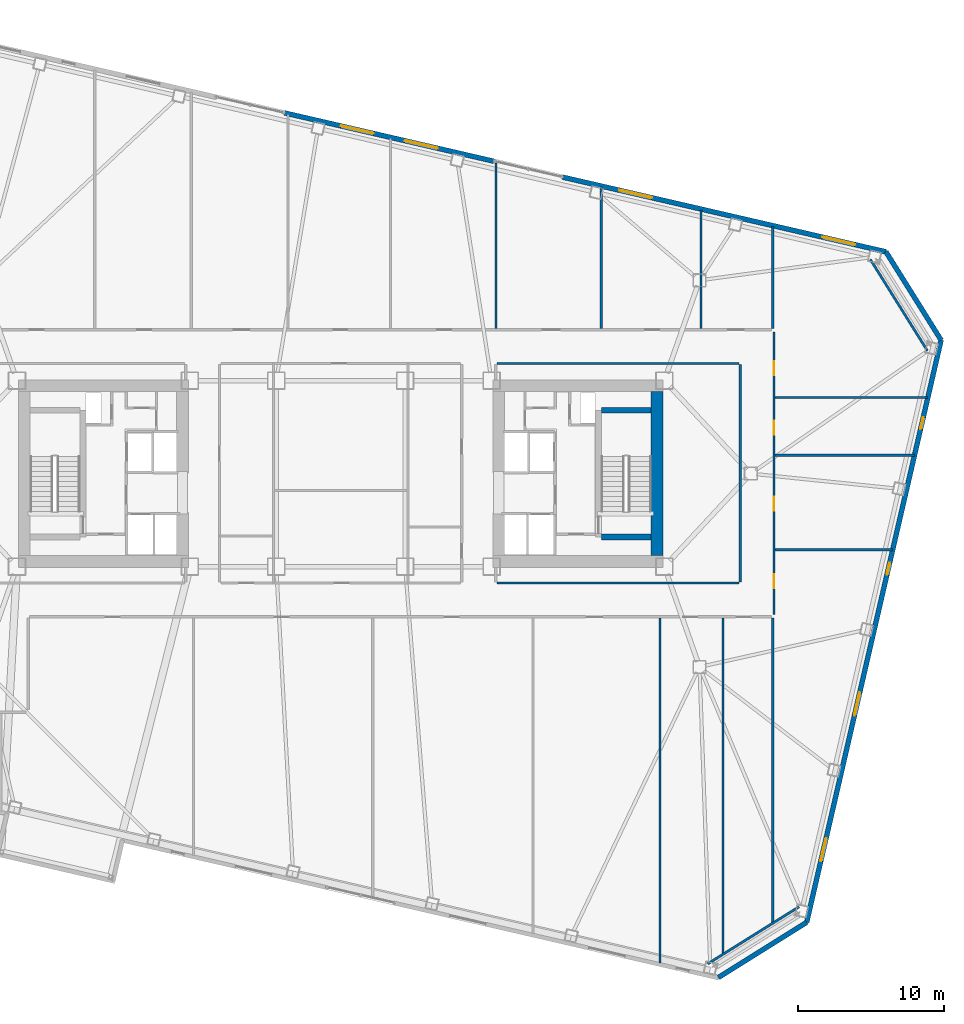
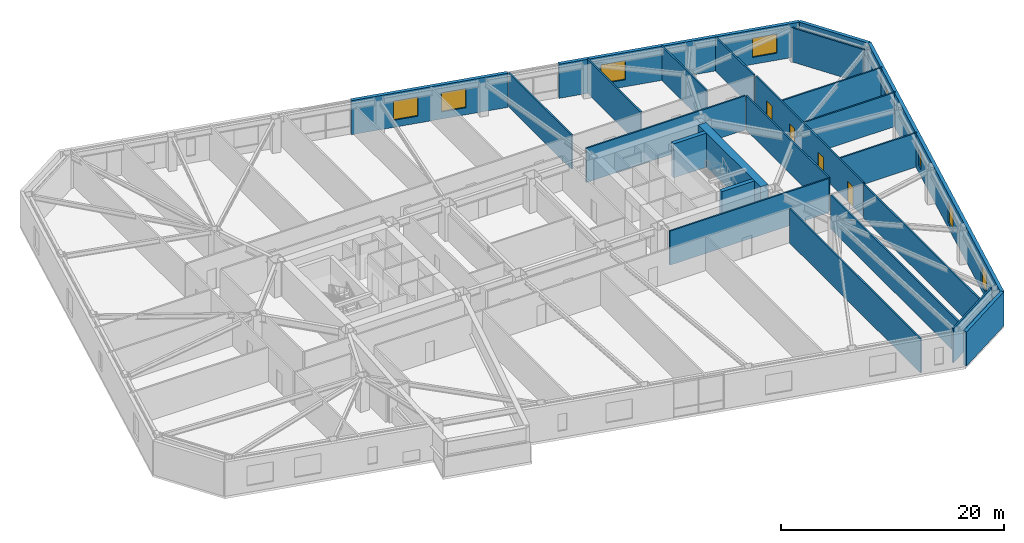
# One storey, part 12 of 18: 24 walls, 8 windows, 4 doors, 12 openings.
"""IFC4 building model written with IfcOpenShell, lengths in metres."""

from ifc_helpers import new_model, si_unit, direction, frame, frame_2d, origin, place, context, subcontext, project, spatial, rectangle, extrude, material, layer, layer_set, type_object, element, fill, save


model = new_model("IFC4")

# Units and contexts
model_context = context("Model", 3, precision=1e-05, world=origin(), true_north=direction((0.0, 1.0)))
body_context = subcontext(model_context, "Body", "Model", "MODEL_VIEW")
ifc_project = project(units=[si_unit("LENGTHUNIT", "METRE"), si_unit("AREAUNIT", "SQUARE_METRE"), si_unit("VOLUMEUNIT", "CUBIC_METRE"), si_unit("PLANEANGLEUNIT", "RADIAN"), si_unit("MASSUNIT", "GRAM", prefix="KILO")], contexts=[model_context])

# Site, building, storey
site_placement = place(None, origin())
site = spatial("IfcSite", under=ifc_project, at=site_placement, CompositionType="ELEMENT")
building_placement = place(site_placement, origin())
building = spatial("IfcBuilding", under=site, at=building_placement, Name="Tavrogorsk Clinical Tower", CompositionType="ELEMENT")
storey_placement = place(building_placement, frame((0.0, 0.0, 47.39990234375)))
storey = spatial("IfcBuildingStorey", under=building, at=storey_placement, Name="L09", CompositionType="ELEMENT", Elevation=47.39990234375)

# Walls
ifc_material_1 = material(Name="Lightweight concrete blockwork B15", Category="masonry")
ifc_layer_1 = layer(ifc_material_1, 0.159912109375)
ifc_layer_set_1 = layer_set([ifc_layer_1], Name="Lightweight concrete blockwork B15")
wall_type_1 = type_object("IfcWallType", Name="PartitionWall_160", PredefinedType="PARTITIONING", material=ifc_layer_set_1)
for number, where, z_axis, x_axis, name in (
    (1, (25.0595703125, -33.46826171875, 0.0), (0.0, 0.0, 1.0), (0.848043064089, 0.529927317139, 0.0), "L09 Corner Exoskeleton Brace Furring Wall 1"),
    (2, (40.059814453125, 8.389404296875, 0.0), (0.0, 0.0, 1.0), (-0.529927317139, 0.848043064089, 0.0), "L09 Corner Exoskeleton Brace Furring Wall 2"),
):
    element("IfcWall", number, at=place(storey_placement, frame(where, z_axis=z_axis, x_axis=x_axis)), inside=storey, type_object=wall_type_1, Name=name, PredefinedType="PARTITIONING", context=body_context, shape_type="SweptSolid", body=[
        extrude(rectangle(XDim=7.353759765625, YDim=0.159912109375, at=frame_2d((3.6767578125, 0.0))), origin(), (0.0, 0.0, 1.0), 3.739990234375),
    ])

# Wall, openings, doors
wall_1_placement = place(storey_placement, frame((29.580078125, 9.6650390625, 0.0), z_axis=(0.0, 0.0, 1.0), x_axis=(0.0, -1.0, 0.0)))
wall_1 = element("IfcWall", 3, at=wall_1_placement, inside=storey, type_object=wall_type_1, Name="L09 Corridor Partition 04", PredefinedType="PARTITIONING", context=body_context, shape_type="SweptSolid", body=[
    extrude(rectangle(XDim=19.280029296875, YDim=0.159912109375, at=frame_2d((9.64013671875, 0.0))), origin(), (0.0, 0.0, 1.0), 3.739990234375),
])
opening_1_placement = place(wall_1_placement, frame((16.531005859375, 0.0, 0.0)))
opening_1 = element("IfcOpeningElement", 4, at=opening_1_placement, cuts=wall_1, Name="Opening ID-02", PredefinedType="OPENING", context=body_context, shape_type="SweptSolid", body=[
    extrude(rectangle(XDim=0.949951171875, YDim=2.199951171875, at=frame_2d((0.47509765625, 1.10009765625))), frame((0.0, 0.08984375, 0.0), z_axis=(0.0, -1.0, 0.0), x_axis=(1.0, 0.0, 0.0)), (0.0, 0.0, 1.0), 0.179931640625),
])
opening_2_placement = place(wall_1_placement, frame((11.25, 0.0, 0.0)))
opening_2 = element("IfcOpeningElement", 5, at=opening_2_placement, cuts=wall_1, Name="Opening ID-02", PredefinedType="OPENING", context=body_context, shape_type="SweptSolid", body=[
    extrude(rectangle(XDim=0.949951171875, YDim=2.199951171875, at=frame_2d((0.47509765625, 1.10009765625))), frame((0.0, 0.08984375, 0.0), z_axis=(0.0, -1.0, 0.0), x_axis=(1.0, 0.0, 0.0)), (0.0, 0.0, 1.0), 0.179931640625),
])
opening_3_placement = place(wall_1_placement, frame((6.050048828125, 0.0, 0.0)))
opening_3 = element("IfcOpeningElement", 6, at=opening_3_placement, cuts=wall_1, Name="Opening ID-02", PredefinedType="OPENING", context=body_context, shape_type="SweptSolid", body=[
    extrude(rectangle(XDim=0.949951171875, YDim=2.199951171875, at=frame_2d((0.47509765625, 1.10009765625))), frame((0.0, 0.08984375, 0.0), z_axis=(0.0, -1.0, 0.0), x_axis=(1.0, 0.0, 0.0)), (0.0, 0.0, 1.0), 0.179931640625),
])
opening_4_placement = place(wall_1_placement, frame((1.994140625, 0.0, 0.0)))
opening_4 = element("IfcOpeningElement", 7, at=opening_4_placement, cuts=wall_1, Name="Opening ID-02", PredefinedType="OPENING", context=body_context, shape_type="SweptSolid", body=[
    extrude(rectangle(XDim=0.949951171875, YDim=2.199951171875, at=frame_2d((0.47509765625, 1.10009765625))), frame((0.0, 0.08984375, 0.0), z_axis=(0.0, -1.0, 0.0), x_axis=(1.0, 0.0, 0.0)), (0.0, 0.0, 1.0), 0.179931640625),
])
ifc_material_2 = material(Name="Laminated timber leaf on aluminium frame", Category="wood")
door_type = type_object("IfcDoorType", Name="InteriorDoor_ID02_950", OperationType="NOTDEFINED", PredefinedType="DOOR", material=ifc_material_2)
door_1_placement = place(opening_1_placement, origin())
door_1 = element("IfcDoor", 8, at=door_1_placement, inside=storey, type_object=door_type, Name="L09 E Senior Clinician Suite 1 Door", OperationType="SINGLE_SWING_LEFT", OverallHeight=2.199951171875, OverallWidth=0.949951171875, PredefinedType="DOOR", context=body_context, shape_type="SweptSolid", body=[
    extrude(rectangle(XDim=0.949951171875, YDim=2.199951171875, at=frame_2d((0.47509765625, 1.10009765625))), frame((0.0, 0.02490234375, 0.0), z_axis=(0.0, -1.0, 0.0), x_axis=(1.0, 0.0, 0.0)), (0.0, 0.0, 1.0), 0.050048828125),
])
fill(opening_1, door_1)
door_2_placement = place(opening_2_placement, origin())
door_2 = element("IfcDoor", 9, at=door_2_placement, inside=storey, type_object=door_type, Name="L09 E Multidisciplinary Seminar Suite 2 Door", OperationType="SINGLE_SWING_RIGHT", OverallHeight=2.199951171875, OverallWidth=0.949951171875, PredefinedType="DOOR", context=body_context, shape_type="SweptSolid", body=[
    extrude(rectangle(XDim=0.949951171875, YDim=2.199951171875, at=frame_2d((0.47509765625, 1.10009765625))), frame((0.0, 0.02490234375, 0.0), z_axis=(0.0, -1.0, 0.0), x_axis=(1.0, 0.0, 0.0)), (0.0, 0.0, 1.0), 0.050048828125),
])
fill(opening_2, door_2)
door_3_placement = place(opening_3_placement, origin())
door_3 = element("IfcDoor", 10, at=door_3_placement, inside=storey, type_object=door_type, Name="L09 E Specialist Consultation Room 3 Door", OperationType="SINGLE_SWING_LEFT", OverallHeight=2.199951171875, OverallWidth=0.949951171875, PredefinedType="DOOR", context=body_context, shape_type="SweptSolid", body=[
    extrude(rectangle(XDim=0.949951171875, YDim=2.199951171875, at=frame_2d((0.47509765625, 1.10009765625))), frame((0.0, 0.02490234375, 0.0), z_axis=(0.0, -1.0, 0.0), x_axis=(1.0, 0.0, 0.0)), (0.0, 0.0, 1.0), 0.050048828125),
])
fill(opening_3, door_3)
door_4_placement = place(opening_4_placement, origin())
door_4 = element("IfcDoor", 11, at=door_4_placement, inside=storey, type_object=door_type, Name="L09 E Clinical Fellows' Study 4 Door", OperationType="SINGLE_SWING_RIGHT", OverallHeight=2.199951171875, OverallWidth=0.949951171875, PredefinedType="DOOR", context=body_context, shape_type="SweptSolid", body=[
    extrude(rectangle(XDim=0.949951171875, YDim=2.199951171875, at=frame_2d((0.47509765625, 1.10009765625))), frame((0.0, 0.02490234375, 0.0), z_axis=(0.0, -1.0, 0.0), x_axis=(1.0, 0.0, 0.0)), (0.0, 0.0, 1.0), 0.050048828125),
])
fill(opening_4, door_4)

# Walls
for number, where, z_axis, x_axis, name in (
    (12, (27.18505859375, 7.52001953125, 0.0), (0.0, 0.0, 1.0), (-1.0, 0.0, 0.0), "L09 Corridor Partition 09"),
    (13, (10.6650390625, -7.469970703125, 0.0), (0.0, 0.0, 1.0), (1.0, 0.0, 0.0), "L09 Corridor Partition 12"),
):
    element("IfcWall", number, at=place(storey_placement, frame(where, z_axis=z_axis, x_axis=x_axis)), inside=storey, type_object=wall_type_1, Name=name, PredefinedType="PARTITIONING", context=body_context, shape_type="SweptSolid", body=[
        extrude(rectangle(XDim=16.52001953125, YDim=0.159912109375, at=frame_2d((8.260009765625, 0.0))), origin(), (0.0, 0.0, 1.0), 3.739990234375),
    ])
wall_2_placement = place(storey_placement, frame((27.27001953125, -7.385009765625, 0.0), z_axis=(0.0, 0.0, 1.0), x_axis=(0.0, 1.0, 0.0)))
element("IfcWall", 14, at=wall_2_placement, inside=storey, type_object=wall_type_1, Name="L09 Corridor Partition 13", PredefinedType="PARTITIONING", context=body_context, shape_type="SweptSolid", body=[
    extrude(rectangle(XDim=14.820068359375, YDim=0.159912109375, at=frame_2d((7.41015625, 0.0))), origin(), (0.0, 0.0, 1.0), 3.739990234375),
])
wall_3_placement = place(storey_placement, frame((29.5, 9.9150390625, 0.0), z_axis=(0.0, 0.0, 1.0), x_axis=(0.0, 1.0, 0.0)))
element("IfcWall", 15, at=wall_3_placement, inside=storey, type_object=wall_type_1, Name="L09 NE Wing Closure Partition", PredefinedType="PARTITIONING", context=body_context, shape_type="SweptSolid", body=[
    extrude(rectangle(XDim=6.947265625, YDim=0.159912109375, at=frame_2d((3.4736328125, 0.0))), origin(), (0.0, 0.0, 1.0), 3.739990234375),
])
wall_4_placement = place(storey_placement, frame((29.5, -30.702880859375, 0.0), z_axis=(0.0, 0.0, 1.0), x_axis=(0.0, 1.0, 0.0)))
element("IfcWall", 16, at=wall_4_placement, inside=storey, type_object=wall_type_1, Name="L09 SE Wing Closure Partition", PredefinedType="PARTITIONING", context=body_context, shape_type="SweptSolid", body=[
    extrude(rectangle(XDim=20.837890625, YDim=0.159912109375, at=frame_2d((10.4189453125, 0.0))), origin(), (0.0, 0.0, 1.0), 3.739990234375),
])
wall_5_placement = place(storey_placement, frame((10.60009765625, 9.9150390625, 0.0), z_axis=(0.0, 0.0, 1.0), x_axis=(0.0, 1.0, 0.0)))
element("IfcWall", 17, at=wall_5_placement, inside=storey, type_object=wall_type_1, Name="L09 North Room Partition 6", PredefinedType="PARTITIONING", context=body_context, shape_type="SweptSolid", body=[
    extrude(rectangle(XDim=11.310791015625, YDim=0.159912109375, at=frame_2d((5.6552734375, 0.0))), origin(), (0.0, 0.0, 1.0), 3.739990234375),
])
wall_6_placement = place(storey_placement, frame((17.800048828125, 9.9150390625, 0.0), z_axis=(0.0, 0.0, 1.0), x_axis=(0.0, 1.0, 0.0)))
element("IfcWall", 18, at=wall_6_placement, inside=storey, type_object=wall_type_1, Name="L09 North Room Partition 7", PredefinedType="PARTITIONING", context=body_context, shape_type="SweptSolid", body=[
    extrude(rectangle(XDim=9.6484375, YDim=0.159912109375, at=frame_2d((4.82421875, 0.0))), origin(), (0.0, 0.0, 1.0), 3.739990234375),
])
wall_7_placement = place(storey_placement, frame((24.60009765625, 9.9150390625, 0.0), z_axis=(0.0, 0.0, 1.0), x_axis=(0.0, 1.0, 0.0)))
element("IfcWall", 19, at=wall_7_placement, inside=storey, type_object=wall_type_1, Name="L09 North Room Partition 8", PredefinedType="PARTITIONING", context=body_context, shape_type="SweptSolid", body=[
    extrude(rectangle(XDim=8.07861328125, YDim=0.159912109375, at=frame_2d((4.039306640625, 0.0))), origin(), (0.0, 0.0, 1.0), 3.739990234375),
])
wall_8_placement = place(storey_placement, frame((21.800048828125, -33.4140625, 0.0), z_axis=(0.0, 0.0, 1.0), x_axis=(0.0, 1.0, 0.0)))
element("IfcWall", 20, at=wall_8_placement, inside=storey, type_object=wall_type_1, Name="L09 South Room Partition 3", PredefinedType="PARTITIONING", context=body_context, shape_type="SweptSolid", body=[
    extrude(rectangle(XDim=23.549072265625, YDim=0.159912109375, at=frame_2d((11.7744140625, 0.0))), origin(), (0.0, 0.0, 1.0), 3.739990234375),
])
wall_9_placement = place(storey_placement, frame((26.10009765625, -32.827392578125, 0.0), z_axis=(0.0, 0.0, 1.0), x_axis=(0.0, 1.0, 0.0)))
element("IfcWall", 21, at=wall_9_placement, inside=storey, type_object=wall_type_1, Name="L09 South Sub-Partition 4", PredefinedType="PARTITIONING", context=body_context, shape_type="SweptSolid", body=[
    extrude(rectangle(XDim=22.96240234375, YDim=0.159912109375, at=frame_2d((11.481201171875, 0.0))), origin(), (0.0, 0.0, 1.0), 3.739990234375),
])
wall_10_placement = place(storey_placement, frame((29.6650390625, -5.199951171875, 0.0), z_axis=(0.0, 0.0, 1.0), x_axis=(1.0, 0.0, 0.0)))
element("IfcWall", 22, at=wall_10_placement, inside=storey, type_object=wall_type_1, Name="L09 E Wing Divider 1", PredefinedType="PARTITIONING", context=body_context, shape_type="SweptSolid", body=[
    extrude(rectangle(XDim=8.007080078125, YDim=0.159912109375, at=frame_2d((4.00341796875, 0.0))), origin(), (0.0, 0.0, 1.0), 3.739990234375),
])
wall_11_placement = place(storey_placement, frame((29.6650390625, 1.25, 0.0), z_axis=(0.0, 0.0, 1.0), x_axis=(1.0, 0.0, 0.0)))
element("IfcWall", 23, at=wall_11_placement, inside=storey, type_object=wall_type_1, Name="L09 E Wing Divider 2", PredefinedType="PARTITIONING", context=body_context, shape_type="SweptSolid", body=[
    extrude(rectangle(XDim=9.496337890625, YDim=0.159912109375, at=frame_2d((4.748046875, 0.0))), origin(), (0.0, 0.0, 1.0), 3.739990234375),
])
wall_12_placement = place(storey_placement, frame((29.6650390625, 5.199951171875, 0.0), z_axis=(0.0, 0.0, 1.0), x_axis=(1.0, 0.0, 0.0)))
element("IfcWall", 24, at=wall_12_placement, inside=storey, type_object=wall_type_1, Name="L09 E Wing Divider 3", PredefinedType="PARTITIONING", context=body_context, shape_type="SweptSolid", body=[
    extrude(rectangle(XDim=10.408203125, YDim=0.159912109375, at=frame_2d((5.2041015625, 0.0))), origin(), (0.0, 0.0, 1.0), 3.739990234375),
])

# Wall, openings, windows
ifc_material_3 = material(Name="Precast concrete B45 with limestone cladding", Category="masonry")
ifc_layer_2 = layer(ifc_material_3, 0.340087890625)
ifc_layer_set_2 = layer_set([ifc_layer_2], Name="Precast concrete B45 with limestone cladding")
wall_type_2 = type_object("IfcWallType", Name="PrecastLimestoneWall_340", PredefinedType="STANDARD", material=ifc_layer_set_2)
wall_13_placement = place(storey_placement, frame((37.228515625, 15.14990234375, 0.0), z_axis=(0.0, 0.0, 1.0), x_axis=(-0.97436993772, 0.224951604723, 0.0)))
wall_13 = element("IfcWall", 25, at=wall_13_placement, inside=storey, type_object=wall_type_2, Name="L09 N Limestone Facade Wall 1", PredefinedType="STANDARD", context=body_context, shape_type="SweptSolid", body=[
    extrude(rectangle(XDim=22.6513671875, YDim=0.340087890625, at=frame_2d((11.32568359375, 0.0))), origin(), (0.0, 0.0, 1.0), 3.739990234375),
])
opening_5_placement = place(wall_13_placement, frame((16.39501953125, 0.0, 0.77001953125)))
opening_5 = element("IfcOpeningElement", 26, at=opening_5_placement, cuts=wall_13, Name="Opening WN-12", PredefinedType="OPENING", context=body_context, shape_type="SweptSolid", body=[
    extrude(rectangle(XDim=2.300048828125, YDim=2.10009765625, at=frame_2d((1.14990234375, 1.050048828125))), frame((0.0, 0.179931640625, 0.0), z_axis=(0.0, -1.0, 0.0), x_axis=(1.0, 0.0, 0.0)), (0.0, 0.0, 1.0), 0.360107421875),
])
opening_6_placement = place(wall_13_placement, frame((2.162109375, 0.0, 0.77001953125)))
opening_6 = element("IfcOpeningElement", 27, at=opening_6_placement, cuts=wall_13, Name="Opening WN-12", PredefinedType="OPENING", context=body_context, shape_type="SweptSolid", body=[
    extrude(rectangle(XDim=2.300048828125, YDim=2.10009765625, at=frame_2d((1.14990234375, 1.050048828125))), frame((0.0, 0.179931640625, 0.0), z_axis=(0.0, -1.0, 0.0), x_axis=(1.0, 0.0, 0.0)), (0.0, 0.0, 1.0), 0.360107421875),
])
ifc_material_4 = material(Name="Thermally broken aluminium frame and triple IGU", Category="aluminium")
window_type_1 = type_object("IfcWindowType", Name="RecoveryWin_2300x2100", PartitioningType="DOUBLE_PANEL_VERTICAL", PredefinedType="WINDOW", material=ifc_material_4)
window_1_placement = place(opening_5_placement, origin())
window_1 = element("IfcWindow", 28, at=window_1_placement, inside=storey, type_object=window_type_1, Name="L09 N Chicago Window 07", OverallHeight=2.10009765625, OverallWidth=2.300048828125, PartitioningType="SINGLE_PANEL", PredefinedType="WINDOW", context=body_context, shape_type="SweptSolid", body=[
    extrude(rectangle(XDim=2.300048828125, YDim=2.10009765625, at=frame_2d((1.14990234375, 1.050048828125))), frame((0.0, 0.030029296875, 0.0), z_axis=(0.0, -1.0, 0.0), x_axis=(1.0, 0.0, 0.0)), (0.0, 0.0, 1.0), 0.06005859375),
])
fill(opening_5, window_1)
window_2_placement = place(opening_6_placement, origin())
window_2 = element("IfcWindow", 29, at=window_2_placement, inside=storey, type_object=window_type_1, Name="L09 N Chicago Window 10", OverallHeight=2.10009765625, OverallWidth=2.300048828125, PartitioningType="SINGLE_PANEL", PredefinedType="WINDOW", context=body_context, shape_type="SweptSolid", body=[
    extrude(rectangle(XDim=2.300048828125, YDim=2.10009765625, at=frame_2d((1.14990234375, 1.050048828125))), frame((0.0, 0.030029296875, 0.0), z_axis=(0.0, -1.0, 0.0), x_axis=(1.0, 0.0, 0.0)), (0.0, 0.0, 1.0), 0.06005859375),
])
fill(opening_6, window_2)

wall_14_placement = place(storey_placement, frame((10.480712890625, 21.3251953125, 0.0), z_axis=(0.0, 0.0, 1.0), x_axis=(-0.974369353393, 0.2249541357, 0.0)))
wall_14 = element("IfcWall", 30, at=wall_14_placement, inside=storey, type_object=wall_type_2, Name="L09 N Limestone Facade Wall 2", PredefinedType="STANDARD", context=body_context, shape_type="SweptSolid", body=[
    extrude(rectangle(XDim=14.697021484375, YDim=0.340087890625, at=frame_2d((7.3486328125, 0.0))), origin(), (0.0, 0.0, 1.0), 3.739990234375),
])
opening_7_placement = place(wall_14_placement, frame((8.44091796875, 0.0, 0.77001953125)))
opening_7 = element("IfcOpeningElement", 31, at=opening_7_placement, cuts=wall_14, Name="Opening WN-12", PredefinedType="OPENING", context=body_context, shape_type="SweptSolid", body=[
    extrude(rectangle(XDim=2.300048828125, YDim=2.10009765625, at=frame_2d((1.14990234375, 1.050048828125))), frame((0.0, 0.179931640625, 0.0), z_axis=(0.0, -1.0, 0.0), x_axis=(1.0, 0.0, 0.0)), (0.0, 0.0, 1.0), 0.360107421875),
])
opening_8_placement = place(wall_14_placement, frame((3.956298828125, 0.0, 0.77001953125)))
opening_8 = element("IfcOpeningElement", 32, at=opening_8_placement, cuts=wall_14, Name="Opening WN-12", PredefinedType="OPENING", context=body_context, shape_type="SweptSolid", body=[
    extrude(rectangle(XDim=2.300048828125, YDim=2.10009765625, at=frame_2d((1.14990234375, 1.050048828125))), frame((0.0, 0.179931640625, 0.0), z_axis=(0.0, -1.0, 0.0), x_axis=(1.0, 0.0, 0.0)), (0.0, 0.0, 1.0), 0.360107421875),
])
window_3_placement = place(opening_7_placement, origin())
window_3 = element("IfcWindow", 33, at=window_3_placement, inside=storey, type_object=window_type_1, Name="L09 N Chicago Window 05", OverallHeight=2.10009765625, OverallWidth=2.300048828125, PartitioningType="SINGLE_PANEL", PredefinedType="WINDOW", context=body_context, shape_type="SweptSolid", body=[
    extrude(rectangle(XDim=2.300048828125, YDim=2.10009765625, at=frame_2d((1.14990234375, 1.050048828125))), frame((0.0, 0.030029296875, 0.0), z_axis=(0.0, -1.0, 0.0), x_axis=(1.0, 0.0, 0.0)), (0.0, 0.0, 1.0), 0.06005859375),
])
fill(opening_7, window_3)
window_4_placement = place(opening_8_placement, origin())
window_4 = element("IfcWindow", 34, at=window_4_placement, inside=storey, type_object=window_type_1, Name="L09 N Chicago Window 06", OverallHeight=2.10009765625, OverallWidth=2.300048828125, PartitioningType="SINGLE_PANEL", PredefinedType="WINDOW", context=body_context, shape_type="SweptSolid", body=[
    extrude(rectangle(XDim=2.300048828125, YDim=2.10009765625, at=frame_2d((1.14990234375, 1.050048828125))), frame((0.0, 0.030029296875, 0.0), z_axis=(0.0, -1.0, 0.0), x_axis=(1.0, 0.0, 0.0)), (0.0, 0.0, 1.0), 0.06005859375),
])
fill(opening_8, window_4)

wall_15_placement = place(storey_placement, frame((31.820068359375, -30.636962890625, 0.0), z_axis=(0.0, 0.0, 1.0), x_axis=(0.224949969076, 0.974370315338, 0.0)))
wall_15 = element("IfcWall", 35, at=wall_15_placement, inside=storey, type_object=wall_type_2, Name="L09 E Pleated Limestone Wing Wall", PredefinedType="STANDARD", context=body_context, shape_type="SweptSolid", body=[
    extrude(rectangle(XDim=40.800048828125, YDim=0.340087890625, at=frame_2d((20.39990234375, 0.0))), origin(), (0.0, 0.0, 1.0), 3.739990234375),
])
opening_9_placement = place(wall_15_placement, frame((4.300048828125, 0.0, 0.580078125)))
opening_9 = element("IfcOpeningElement", 36, at=opening_9_placement, cuts=wall_15, Name="Opening WN-07", PredefinedType="OPENING", context=body_context, shape_type="SweptSolid", body=[
    extrude(rectangle(XDim=1.60009765625, YDim=2.300048828125, at=frame_2d((0.800048828125, 1.14990234375))), frame((0.0, 0.179931640625, 0.0), z_axis=(0.0, -1.0, 0.0), x_axis=(1.0, 0.0, 0.0)), (0.0, 0.0, 1.0), 0.360107421875),
])
opening_10_placement = place(wall_15_placement, frame((14.5, 0.0, 0.580078125)))
opening_10 = element("IfcOpeningElement", 37, at=opening_10_placement, cuts=wall_15, Name="Opening WN-07", PredefinedType="OPENING", context=body_context, shape_type="SweptSolid", body=[
    extrude(rectangle(XDim=1.60009765625, YDim=2.300048828125, at=frame_2d((0.800048828125, 1.14990234375))), frame((0.0, 0.179931640625, 0.0), z_axis=(0.0, -1.0, 0.0), x_axis=(1.0, 0.0, 0.0)), (0.0, 0.0, 1.0), 0.360107421875),
])
opening_11_placement = place(wall_15_placement, frame((24.35009765625, 0.0, 0.75)))
opening_11 = element("IfcOpeningElement", 38, at=opening_11_placement, cuts=wall_15, Name="Opening WN-06", PredefinedType="OPENING", context=body_context, shape_type="SweptSolid", body=[
    extrude(rectangle(XDim=0.85009765625, YDim=1.85009765625, at=frame_2d((0.425048828125, 0.925048828125))), frame((0.0, 0.179931640625, 0.0), z_axis=(0.0, -1.0, 0.0), x_axis=(1.0, 0.0, 0.0)), (0.0, 0.0, 1.0), 0.360107421875),
])
opening_12_placement = place(wall_15_placement, frame((34.550048828125, 0.0, 0.75)))
opening_12 = element("IfcOpeningElement", 39, at=opening_12_placement, cuts=wall_15, Name="Opening WN-06", PredefinedType="OPENING", context=body_context, shape_type="SweptSolid", body=[
    extrude(rectangle(XDim=0.85009765625, YDim=1.85009765625, at=frame_2d((0.425048828125, 0.925048828125))), frame((0.0, 0.179931640625, 0.0), z_axis=(0.0, -1.0, 0.0), x_axis=(1.0, 0.0, 0.0)), (0.0, 0.0, 1.0), 0.360107421875),
])
ifc_material_5 = material(Name="Thermally broken aluminium frame and triple IGU", Category="aluminium")
window_type_2 = type_object("IfcWindowType", Name="MullionSubWin_850x1850", PartitioningType="SINGLE_PANEL", PredefinedType="WINDOW", material=ifc_material_5)
window_5_placement = place(opening_11_placement, origin())
window_5 = element("IfcWindow", 40, at=window_5_placement, inside=storey, type_object=window_type_2, Name="L09 E Pleat Mullion Window 3A", OverallHeight=1.85009765625, OverallWidth=0.85009765625, PartitioningType="SINGLE_PANEL", PredefinedType="WINDOW", context=body_context, shape_type="SweptSolid", body=[
    extrude(rectangle(XDim=0.85009765625, YDim=1.85009765625, at=frame_2d((0.425048828125, 0.925048828125))), frame((0.0, 0.030029296875, 0.0), z_axis=(0.0, -1.0, 0.0), x_axis=(1.0, 0.0, 0.0)), (0.0, 0.0, 1.0), 0.06005859375),
])
fill(opening_11, window_5)
window_6_placement = place(opening_12_placement, origin())
window_6 = element("IfcWindow", 41, at=window_6_placement, inside=storey, type_object=window_type_2, Name="L09 E Pleat Mullion Window 4A", OverallHeight=1.85009765625, OverallWidth=0.85009765625, PartitioningType="SINGLE_PANEL", PredefinedType="WINDOW", context=body_context, shape_type="SweptSolid", body=[
    extrude(rectangle(XDim=0.85009765625, YDim=1.85009765625, at=frame_2d((0.425048828125, 0.925048828125))), frame((0.0, 0.030029296875, 0.0), z_axis=(0.0, -1.0, 0.0), x_axis=(1.0, 0.0, 0.0)), (0.0, 0.0, 1.0), 0.06005859375),
])
fill(opening_12, window_6)
ifc_material_6 = material(Name="Thermally broken aluminium frame and triple IGU", Category="aluminium")
window_type_3 = type_object("IfcWindowType", Name="PleatSlotWin_1600x2300", PartitioningType="SINGLE_PANEL", PredefinedType="WINDOW", material=ifc_material_6)
window_7_placement = place(opening_9_placement, origin())
window_7 = element("IfcWindow", 42, at=window_7_placement, inside=storey, type_object=window_type_3, Name="L09 E Pleat Slot Window 1", OverallHeight=2.300048828125, OverallWidth=1.60009765625, PartitioningType="SINGLE_PANEL", PredefinedType="WINDOW", context=body_context, shape_type="SweptSolid", body=[
    extrude(rectangle(XDim=1.60009765625, YDim=2.300048828125, at=frame_2d((0.800048828125, 1.14990234375))), frame((0.0, 0.030029296875, 0.0), z_axis=(0.0, -1.0, 0.0), x_axis=(1.0, 0.0, 0.0)), (0.0, 0.0, 1.0), 0.06005859375),
])
fill(opening_9, window_7)
window_8_placement = place(opening_10_placement, origin())
window_8 = element("IfcWindow", 43, at=window_8_placement, inside=storey, type_object=window_type_3, Name="L09 E Pleat Slot Window 2", OverallHeight=2.300048828125, OverallWidth=1.60009765625, PartitioningType="SINGLE_PANEL", PredefinedType="WINDOW", context=body_context, shape_type="SweptSolid", body=[
    extrude(rectangle(XDim=1.60009765625, YDim=2.300048828125, at=frame_2d((0.800048828125, 1.14990234375))), frame((0.0, 0.030029296875, 0.0), z_axis=(0.0, -1.0, 0.0), x_axis=(1.0, 0.0, 0.0)), (0.0, 0.0, 1.0), 0.06005859375),
])
fill(opening_10, window_8)

# Walls
for number, where, z_axis, x_axis, name in (
    (44, (25.78759765625, -34.406494140625, 0.0), (0.0, 0.0, 1.0), (0.848046504656, 0.529921811158, 0.0), "L09 Chamfered Corner Wall 1"),
    (45, (40.998046875, 9.117431640625, 0.0), (0.0, 0.0, 1.0), (-0.529921811158, 0.848046504656, 0.0), "L09 Chamfered Corner Wall 2"),
):
    element("IfcWall", number, at=place(storey_placement, frame(where, z_axis=z_axis, x_axis=x_axis)), inside=storey, type_object=wall_type_2, Name=name, PredefinedType="STANDARD", context=body_context, shape_type="SweptSolid", body=[
        extrude(rectangle(XDim=7.11328125, YDim=0.340087890625, at=frame_2d((3.556640625, 0.0))), origin(), (0.0, 0.0, 1.0), 3.739990234375),
    ])
ifc_material_7 = material(Name="Concrete B80", Category="concrete")
ifc_layer_3 = layer(ifc_material_7, 0.39990234375)
ifc_layer_set_3 = layer_set([ifc_layer_3], Name="Concrete B80")
wall_type_3 = type_object("IfcWallType", Name="ShearWall_400", PredefinedType="SHEAR", material=ifc_layer_set_3)
for number, where, z_axis, x_axis, name in (
    (46, (17.800048828125, -4.324951171875, 0.0), (0.0, 0.0, 1.0), (1.0, 0.0, 0.0), "L09 Core East Stair Shaft South Shear Wall"),
    (47, (17.800048828125, 4.324951171875, 0.0), (0.0, 0.0, 1.0), (1.0, 0.0, 0.0), "L09 Core East Stair Shaft North Shear Wall"),
):
    element("IfcWall", number, at=place(storey_placement, frame(where, z_axis=z_axis, x_axis=x_axis)), inside=storey, type_object=wall_type_3, Name=name, PredefinedType="SHEAR", context=body_context, shape_type="SweptSolid", body=[
        extrude(rectangle(XDim=3.39990234375, YDim=0.39990234375, at=frame_2d((1.699951171875, 0.0))), origin(), (0.0, 0.0, 1.0), 3.739990234375),
    ])
ifc_material_8 = material(Name="Concrete B80", Category="concrete")
ifc_layer_4 = layer(ifc_material_8, 0.800048828125)
ifc_layer_set_4 = layer_set([ifc_layer_4], Name="Concrete B80")
wall_type_4 = type_object("IfcWallType", Name="ShearWall_800", PredefinedType="SHEAR", material=ifc_layer_set_4)
wall_16_placement = place(storey_placement, frame((21.60009765625, -5.60009765625, 0.0), z_axis=(0.0, 0.0, 1.0), x_axis=(0.0, 1.0, 0.0)))
element("IfcWall", 48, at=wall_16_placement, inside=storey, type_object=wall_type_4, Name="L09 Core East End Shear Wall", PredefinedType="SHEAR", context=body_context, shape_type="SweptSolid", body=[
    extrude(rectangle(XDim=11.2001953125, YDim=0.800048828125, at=frame_2d((5.60009765625, 0.0))), origin(), (0.0, 0.0, 1.0), 3.739990234375),
])

save(model, "model.ifc")
